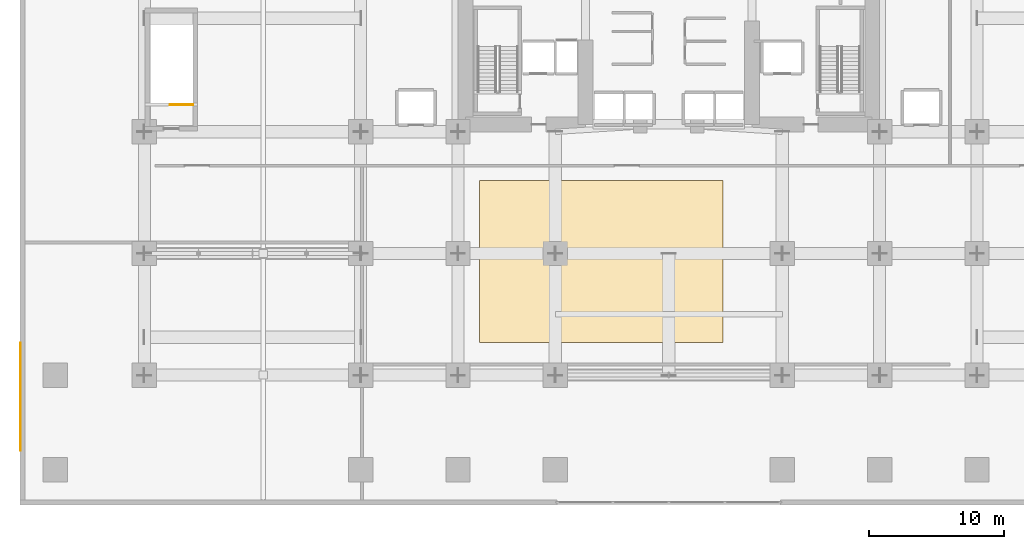
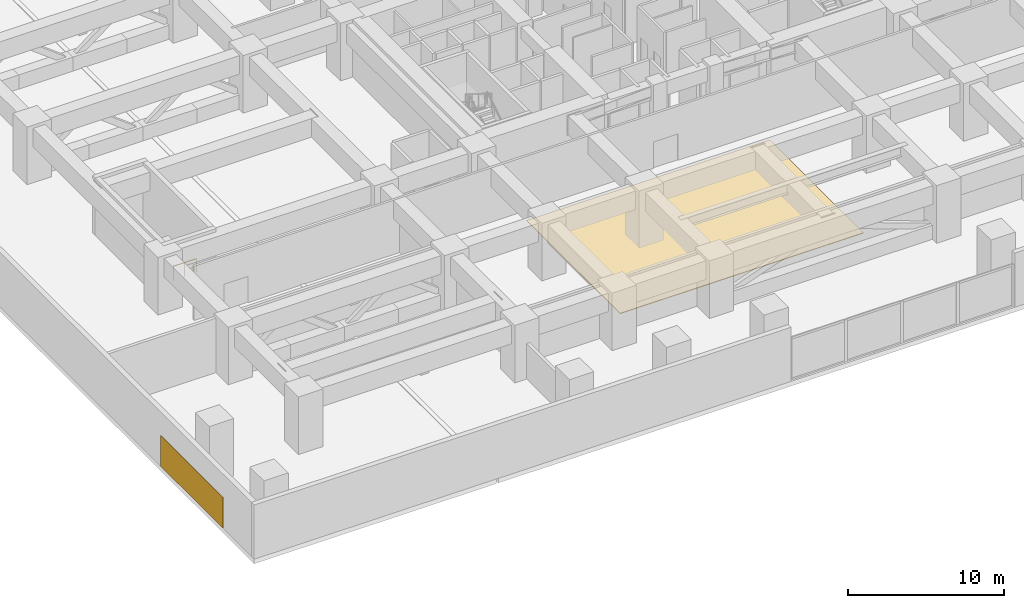
# One storey, part 21 of 25: 2 coverings, 1 railing.
"""IFC4 building model written with IfcOpenShell, lengths in metres."""

from ifc_helpers import new_model, si_unit, direction, frame, origin, origin_2d, place, context, subcontext, project, spatial, polyline, rectangle, outline, extrude, material, layer, layer_set, type_object, element, save


model = new_model("IFC4")

# Units and contexts
model_context = context("Model", 3, precision=1e-05, world=origin(), true_north=direction((0.0, 1.0)))
body_context = subcontext(model_context, "Body", "Model", "MODEL_VIEW")
ifc_project = project(units=[si_unit("LENGTHUNIT", "METRE"), si_unit("AREAUNIT", "SQUARE_METRE"), si_unit("VOLUMEUNIT", "CUBIC_METRE"), si_unit("PLANEANGLEUNIT", "RADIAN"), si_unit("MASSUNIT", "GRAM", prefix="KILO")], contexts=[model_context])

# Site, building, storey
site_placement = place(None, origin())
site = spatial("IfcSite", under=ifc_project, at=site_placement, CompositionType="ELEMENT")
building_placement = place(site_placement, origin())
building = spatial("IfcBuilding", under=site, at=building_placement, Name="Kiyonajd Concourse Tower", CompositionType="ELEMENT")
storey_placement = place(building_placement, frame((0.0, 0.0, 17.10009765625)))
storey = spatial("IfcBuildingStorey", under=building, at=storey_placement, Name="L05", CompositionType="ELEMENT", Elevation=17.10009765625)

# Coverings
ifc_material_1 = material(Name="Riyadh Jubaila Limestone", Category="masonry")
ifc_layer_1 = layer(ifc_material_1, 0.06005859375)
ifc_layer_set_1 = layer_set([ifc_layer_1], Name="Riyadh Jubaila Limestone")
covering_type_1 = type_object("IfcCoveringType", Name="CV-CLD-STONE", PredefinedType="CLADDING", material=ifc_layer_set_1)
covering_1_placement = place(storey_placement, origin())
element("IfcCovering", 1, at=covering_1_placement, inside=storey, type_object=covering_type_1, Name="L05 Riyadh Jubaila Limestone Pier Cladding 1", PredefinedType="CLADDING", context=body_context, shape_type="SweptSolid", body=[
    extrude(outline(polyline([(0.0, 4.0), (0.06005859375, 4.0), (0.06005859375, 12.0), (0.0, 12.0), (0.0, 4.0)])), origin(), (0.0, 0.0, 1.0), 2.39990234375),
])
ifc_layer_2 = layer(ifc_material_1, 0.050048828125)
ifc_layer_set_2 = layer_set([ifc_layer_2], Name="Riyadh Jubaila Limestone")
covering_type_2 = type_object("IfcCoveringType", Name="CV-FLR-RAISED", PredefinedType="FLOORING", material=ifc_layer_set_2)
covering_2_placement = place(storey_placement, origin())
element("IfcCovering", 2, at=covering_2_placement, inside=storey, type_object=covering_type_2, Name="L05 Limestone Floor Finish", PredefinedType="FLOORING", context=body_context, shape_type="SweptSolid", body=[
    extrude(outline(polyline([(34.0, 12.0), (52.0, 12.0), (52.0, 24.0), (34.0, 24.0), (34.0, 12.0)])), origin(), (0.0, 0.0, 1.0), 0.0498046875),
])

# Railing
ifc_material_2 = material(Name="Steel ASTM A500 Grade C", Category="steel")
railing_type = type_object("IfcRailingType", Name="RL-GRD-STR", PredefinedType="GUARDRAIL", material=ifc_material_2)
railing_placement = place(storey_placement, frame((12.800048828125, 29.60009765625, 0.0)))
element("IfcRailing", 3, at=railing_placement, inside=storey, type_object=railing_type, Name="L05 ST4 top well guard 1", PredefinedType="GUARDRAIL", context=body_context, shape_type="SweptSolid", body=[
    extrude(rectangle(XDim=0.048095703125, YDim=0.048095703125, at=origin_2d()), frame((0.0, 0.0, 1.076171875), z_axis=(-1.0, 0.0, 0.0), x_axis=(0.0, -1.0, 0.0)), (0.0, 0.0, 1.0), 1.699951171875),
    extrude(rectangle(XDim=0.0419921875, YDim=0.0419921875, at=origin_2d()), origin(), (0.0, 0.0, 1.0), 1.052001953125),
    extrude(rectangle(XDim=0.0419921875, YDim=0.0419921875, at=origin_2d()), frame((-0.85009765625, 0.0, 0.0)), (0.0, 0.0, 1.0), 1.052001953125),
    extrude(rectangle(XDim=0.0419921875, YDim=0.0419921875, at=origin_2d()), frame((-1.699951171875, 0.0, 0.0)), (0.0, 0.0, 1.0), 1.052001953125),
])

save(model, "model.ifc")
